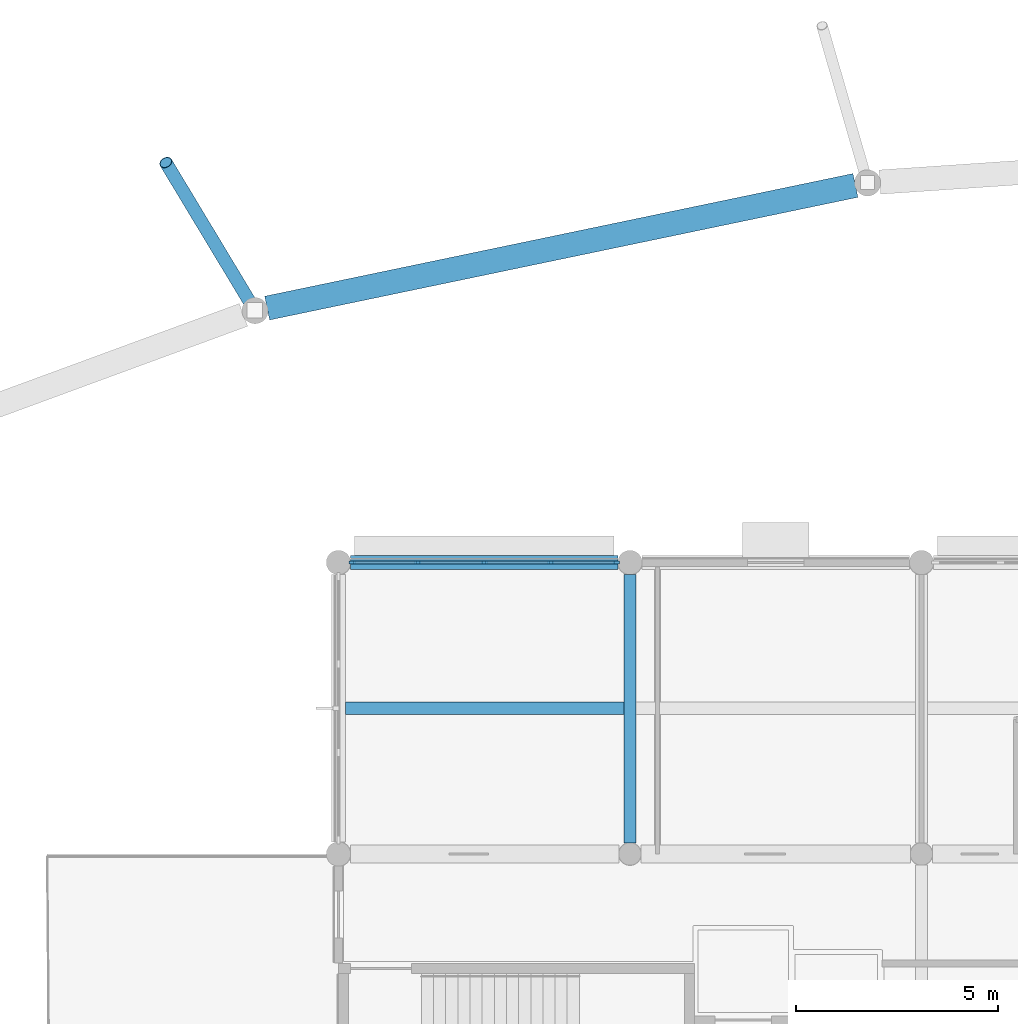
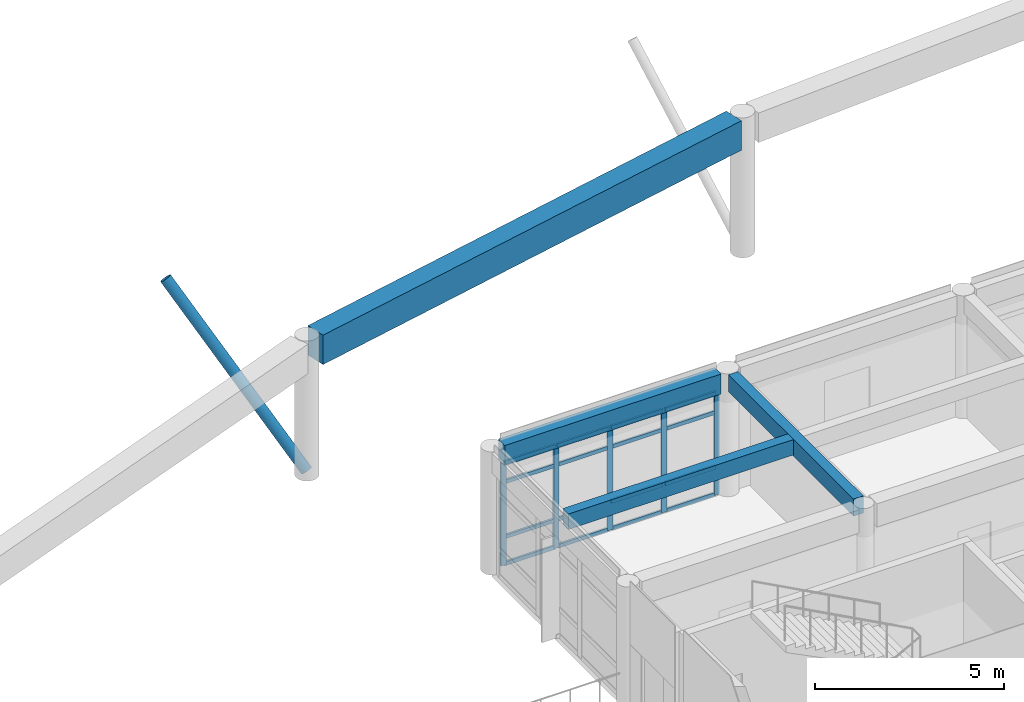
# One storey, part 6 of 37: 22 members, 4 beams, 1 element without a shape of its own.
"""IFC4 building model written with IfcOpenShell, lengths in metres."""

from ifc_helpers import new_model, si_unit, direction, frame, origin, origin_2d, place, context, subcontext, project, spatial, rectangle, hollow_circle, extrude, material, layer, layer_set, material_profile, profile_set, type_object, element, aggregate, save


model = new_model("IFC4")

# Units and contexts
model_context = context("Model", 3, precision=1e-05, world=origin(), true_north=direction((0.0, 1.0)))
body_context = subcontext(model_context, "Body", "Model", "MODEL_VIEW")
ifc_project = project(units=[si_unit("LENGTHUNIT", "METRE"), si_unit("AREAUNIT", "SQUARE_METRE"), si_unit("VOLUMEUNIT", "CUBIC_METRE"), si_unit("PLANEANGLEUNIT", "RADIAN"), si_unit("MASSUNIT", "GRAM", prefix="KILO")], contexts=[model_context])

# Site, building, storey
site_placement = place(None, origin())
site = spatial("IfcSite", under=ifc_project, at=site_placement, CompositionType="ELEMENT")
building_placement = place(site_placement, origin())
building = spatial("IfcBuilding", under=site, at=building_placement, Name="Namkhue Oval Health Centre", CompositionType="ELEMENT")
storey_placement = place(building_placement, frame((0.0, 0.0, 22.199951171875)))
storey = spatial("IfcBuildingStorey", under=building, at=storey_placement, Name="L05", CompositionType="ELEMENT", Elevation=22.199951171875)

# Member
ifc_material_1 = material(Name="Structural steel EN 10025-2 S355JR (TCVN 5575:2024)", Category="steel")
ifc_material_profile_1 = material_profile(ifc_material_1, hollow_circle(Radius=0.161865234375, WallThickness=0.012451171875, at=origin_2d()), Name="CHS 323.9x12.5")
ifc_profile_set_1 = profile_set([ifc_material_profile_1], Name="Structural steel EN 10025-2 S355JR (TCVN 5575:2024)")
member_type_1 = type_object("IfcMemberType", Name="CANOPY STRUT CHS 324", PredefinedType="STRUT", material=ifc_profile_set_1)
member_1_placement = place(storey_placement, frame((55.533447265625, 110.63134765625, 0.114990234375), z_axis=(-0.343848188166, 0.570711581646, 0.745692104068), x_axis=(-0.85655043467, -0.516063322535, 0.0)))
element("IfcMember", 1, at=member_1_placement, inside=storey, type_object=member_type_1, Name="Outer Overhang Tree-Branch Canopy Strut 11", PredefinedType="STRUT", context=body_context, shape_type="SweptSolid", body=[
    extrude(hollow_circle(Radius=0.161865234375, WallThickness=0.012451171875, at=origin_2d()), origin(), (0.0, 0.0, 1.0), 6.39013671875),
])

# Curtain wall, members
ifc_material_2 = material(Name="Anodised aluminium EN AW-6063 T6", Category="aluminium")
ifc_layer = layer(ifc_material_2, 0.159912109375)
ifc_layer_set = layer_set([ifc_layer], Name="Anodised aluminium EN AW-6063 T6")
curtain_wall_type = type_object("IfcCurtainWallType", Name="UNITISED CURTAIN WALL M1800", PredefinedType="NOTDEFINED", material=ifc_layer_set)
curtain_wall_placement = place(storey_placement, origin())
curtain_wall = element("IfcCurtainWall", 2, at=curtain_wall_placement, inside=storey, type_object=curtain_wall_type, Name="Volume V2 L05 Unitised Curtain Wall 89", PredefinedType="NOTDEFINED")
ifc_material_profile_2 = material_profile(ifc_material_2, rectangle(XDim=0.06494140625, YDim=0.159912109375, at=origin_2d()), Name="ALU 65x160")
ifc_profile_set_2 = profile_set([ifc_material_profile_2], Name="Anodised aluminium EN AW-6063 T6")
member_type_2 = type_object("IfcMemberType", Name="CURTAIN WALL MULLION 65X160", PredefinedType="MULLION", material=ifc_profile_set_2)
member_2_placement = place(storey_placement, frame((64.45751953125, 104.39990234375, 0.0), z_axis=(0.0, 0.0, 1.0), x_axis=(0.0, -1.0, 0.0)))
member_2 = element("IfcMember", 3, at=member_2_placement, type_object=member_type_2, Name="CW-05 mullion 1", PredefinedType="MULLION", context=body_context, shape_type="SweptSolid", body=[
    extrude(rectangle(XDim=0.06494140625, YDim=0.159912109375, at=origin_2d()), origin(), (0.0, 0.0, 1.0), 3.324951171875),
])
member_3_placement = place(storey_placement, frame((62.844970703125, 104.39990234375, 0.0), z_axis=(0.0, 0.0, 1.0), x_axis=(0.0, -1.0, 0.0)))
member_3 = element("IfcMember", 4, at=member_3_placement, type_object=member_type_2, Name="CW-05 mullion 2", PredefinedType="MULLION", context=body_context, shape_type="SweptSolid", body=[
    extrude(rectangle(XDim=0.06494140625, YDim=0.159912109375, at=origin_2d()), origin(), (0.0, 0.0, 1.0), 3.324951171875),
])
member_4_placement = place(storey_placement, frame((61.199951171875, 104.39990234375, 0.0), z_axis=(0.0, 0.0, 1.0), x_axis=(0.0, -1.0, 0.0)))
member_4 = element("IfcMember", 5, at=member_4_placement, type_object=member_type_2, Name="CW-05 mullion 3", PredefinedType="MULLION", context=body_context, shape_type="SweptSolid", body=[
    extrude(rectangle(XDim=0.06494140625, YDim=0.159912109375, at=origin_2d()), origin(), (0.0, 0.0, 1.0), 3.324951171875),
])
member_5_placement = place(storey_placement, frame((59.554931640625, 104.39990234375, 0.0), z_axis=(0.0, 0.0, 1.0), x_axis=(0.0, -1.0, 0.0)))
member_5 = element("IfcMember", 6, at=member_5_placement, type_object=member_type_2, Name="CW-05 mullion 4", PredefinedType="MULLION", context=body_context, shape_type="SweptSolid", body=[
    extrude(rectangle(XDim=0.06494140625, YDim=0.159912109375, at=origin_2d()), origin(), (0.0, 0.0, 1.0), 3.324951171875),
])
member_6_placement = place(storey_placement, frame((57.9423828125, 104.39990234375, 0.0), z_axis=(0.0, 0.0, 1.0), x_axis=(0.0, -1.0, 0.0)))
member_6 = element("IfcMember", 7, at=member_6_placement, type_object=member_type_2, Name="CW-05 mullion 5", PredefinedType="MULLION", context=body_context, shape_type="SweptSolid", body=[
    extrude(rectangle(XDim=0.06494140625, YDim=0.159912109375, at=origin_2d()), origin(), (0.0, 0.0, 1.0), 3.324951171875),
])
ifc_material_profile_3 = material_profile(ifc_material_2, rectangle(XDim=0.06494140625, YDim=0.1201171875, at=origin_2d()), Name="ALU 65x120")
ifc_profile_set_3 = profile_set([ifc_material_profile_3], Name="Anodised aluminium EN AW-6063 T6")
member_type_3 = type_object("IfcMemberType", Name="CURTAIN WALL TRANSOM 65X120", PredefinedType="USERDEFINED", material=ifc_profile_set_3)
member_7_placement = place(storey_placement, frame((64.425048828125, 104.39990234375, 0.032470703125), z_axis=(-1.0, 0.0, 0.0), x_axis=(0.0, -1.0, 0.0)))
member_7 = element("IfcMember", 8, at=member_7_placement, type_object=member_type_3, Name="CW-05 transom 1.1", ObjectType="TRANSOM", PredefinedType="USERDEFINED", context=body_context, shape_type="SweptSolid", body=[
    extrude(rectangle(XDim=0.06494140625, YDim=0.1201171875, at=origin_2d()), origin(), (0.0, 0.0, 1.0), 1.547607421875),
])
member_8_placement = place(storey_placement, frame((64.425048828125, 104.39990234375, 0.900146484375), z_axis=(-1.0, 0.0, 0.0), x_axis=(0.0, -1.0, 0.0)))
member_8 = element("IfcMember", 9, at=member_8_placement, type_object=member_type_3, Name="CW-05 transom 1.2", ObjectType="TRANSOM", PredefinedType="USERDEFINED", context=body_context, shape_type="SweptSolid", body=[
    extrude(rectangle(XDim=0.06494140625, YDim=0.1201171875, at=origin_2d()), origin(), (0.0, 0.0, 1.0), 1.547607421875),
])
member_9_placement = place(storey_placement, frame((64.425048828125, 104.39990234375, 2.675048828125), z_axis=(-1.0, 0.0, 0.0), x_axis=(0.0, -1.0, 0.0)))
member_9 = element("IfcMember", 10, at=member_9_placement, type_object=member_type_3, Name="CW-05 transom 1.3", ObjectType="TRANSOM", PredefinedType="USERDEFINED", context=body_context, shape_type="SweptSolid", body=[
    extrude(rectangle(XDim=0.06494140625, YDim=0.1201171875, at=origin_2d()), origin(), (0.0, 0.0, 1.0), 1.547607421875),
])
member_10_placement = place(storey_placement, frame((64.425048828125, 104.39990234375, 3.29248046875), z_axis=(-1.0, 0.0, 0.0), x_axis=(0.0, -1.0, 0.0)))
member_10 = element("IfcMember", 11, at=member_10_placement, type_object=member_type_3, Name="CW-05 transom 1.4", ObjectType="TRANSOM", PredefinedType="USERDEFINED", context=body_context, shape_type="SweptSolid", body=[
    extrude(rectangle(XDim=0.06494140625, YDim=0.1201171875, at=origin_2d()), origin(), (0.0, 0.0, 1.0), 1.547607421875),
])
member_11_placement = place(storey_placement, frame((62.8125, 104.39990234375, 0.032470703125), z_axis=(-1.0, 0.0, 0.0), x_axis=(0.0, -1.0, 0.0)))
member_11 = element("IfcMember", 12, at=member_11_placement, type_object=member_type_3, Name="CW-05 transom 2.1", ObjectType="TRANSOM", PredefinedType="USERDEFINED", context=body_context, shape_type="SweptSolid", body=[
    extrude(rectangle(XDim=0.06494140625, YDim=0.1201171875, at=origin_2d()), origin(), (0.0, 0.0, 1.0), 1.580078125),
])
member_12_placement = place(storey_placement, frame((62.8125, 104.39990234375, 0.900146484375), z_axis=(-1.0, 0.0, 0.0), x_axis=(0.0, -1.0, 0.0)))
member_12 = element("IfcMember", 13, at=member_12_placement, type_object=member_type_3, Name="CW-05 transom 2.2", ObjectType="TRANSOM", PredefinedType="USERDEFINED", context=body_context, shape_type="SweptSolid", body=[
    extrude(rectangle(XDim=0.06494140625, YDim=0.1201171875, at=origin_2d()), origin(), (0.0, 0.0, 1.0), 1.580078125),
])
member_13_placement = place(storey_placement, frame((62.8125, 104.39990234375, 2.675048828125), z_axis=(-1.0, 0.0, 0.0), x_axis=(0.0, -1.0, 0.0)))
member_13 = element("IfcMember", 14, at=member_13_placement, type_object=member_type_3, Name="CW-05 transom 2.3", ObjectType="TRANSOM", PredefinedType="USERDEFINED", context=body_context, shape_type="SweptSolid", body=[
    extrude(rectangle(XDim=0.06494140625, YDim=0.1201171875, at=origin_2d()), origin(), (0.0, 0.0, 1.0), 1.580078125),
])
member_14_placement = place(storey_placement, frame((62.8125, 104.39990234375, 3.29248046875), z_axis=(-1.0, 0.0, 0.0), x_axis=(0.0, -1.0, 0.0)))
member_14 = element("IfcMember", 15, at=member_14_placement, type_object=member_type_3, Name="CW-05 transom 2.4", ObjectType="TRANSOM", PredefinedType="USERDEFINED", context=body_context, shape_type="SweptSolid", body=[
    extrude(rectangle(XDim=0.06494140625, YDim=0.1201171875, at=origin_2d()), origin(), (0.0, 0.0, 1.0), 1.580078125),
])
member_15_placement = place(storey_placement, frame((61.16748046875, 104.39990234375, 0.032470703125), z_axis=(-1.0, 0.0, 0.0), x_axis=(0.0, -1.0, 0.0)))
member_15 = element("IfcMember", 16, at=member_15_placement, type_object=member_type_3, Name="CW-05 transom 3.1", ObjectType="TRANSOM", PredefinedType="USERDEFINED", context=body_context, shape_type="SweptSolid", body=[
    extrude(rectangle(XDim=0.06494140625, YDim=0.1201171875, at=origin_2d()), origin(), (0.0, 0.0, 1.0), 1.580078125),
])
member_16_placement = place(storey_placement, frame((61.16748046875, 104.39990234375, 0.900146484375), z_axis=(-1.0, 0.0, 0.0), x_axis=(0.0, -1.0, 0.0)))
member_16 = element("IfcMember", 17, at=member_16_placement, type_object=member_type_3, Name="CW-05 transom 3.2", ObjectType="TRANSOM", PredefinedType="USERDEFINED", context=body_context, shape_type="SweptSolid", body=[
    extrude(rectangle(XDim=0.06494140625, YDim=0.1201171875, at=origin_2d()), origin(), (0.0, 0.0, 1.0), 1.580078125),
])
member_17_placement = place(storey_placement, frame((61.16748046875, 104.39990234375, 2.675048828125), z_axis=(-1.0, 0.0, 0.0), x_axis=(0.0, -1.0, 0.0)))
member_17 = element("IfcMember", 18, at=member_17_placement, type_object=member_type_3, Name="CW-05 transom 3.3", ObjectType="TRANSOM", PredefinedType="USERDEFINED", context=body_context, shape_type="SweptSolid", body=[
    extrude(rectangle(XDim=0.06494140625, YDim=0.1201171875, at=origin_2d()), origin(), (0.0, 0.0, 1.0), 1.580078125),
])
member_18_placement = place(storey_placement, frame((61.16748046875, 104.39990234375, 3.29248046875), z_axis=(-1.0, 0.0, 0.0), x_axis=(0.0, -1.0, 0.0)))
member_18 = element("IfcMember", 19, at=member_18_placement, type_object=member_type_3, Name="CW-05 transom 3.4", ObjectType="TRANSOM", PredefinedType="USERDEFINED", context=body_context, shape_type="SweptSolid", body=[
    extrude(rectangle(XDim=0.06494140625, YDim=0.1201171875, at=origin_2d()), origin(), (0.0, 0.0, 1.0), 1.580078125),
])
member_19_placement = place(storey_placement, frame((59.5224609375, 104.39990234375, 0.032470703125), z_axis=(-1.0, 0.0, 0.0), x_axis=(0.0, -1.0, 0.0)))
member_19 = element("IfcMember", 20, at=member_19_placement, type_object=member_type_3, Name="CW-05 transom 4.1", ObjectType="TRANSOM", PredefinedType="USERDEFINED", context=body_context, shape_type="SweptSolid", body=[
    extrude(rectangle(XDim=0.06494140625, YDim=0.1201171875, at=origin_2d()), origin(), (0.0, 0.0, 1.0), 1.54736328125),
])
member_20_placement = place(storey_placement, frame((59.5224609375, 104.39990234375, 0.900146484375), z_axis=(-1.0, 0.0, 0.0), x_axis=(0.0, -1.0, 0.0)))
member_20 = element("IfcMember", 21, at=member_20_placement, type_object=member_type_3, Name="CW-05 transom 4.2", ObjectType="TRANSOM", PredefinedType="USERDEFINED", context=body_context, shape_type="SweptSolid", body=[
    extrude(rectangle(XDim=0.06494140625, YDim=0.1201171875, at=origin_2d()), origin(), (0.0, 0.0, 1.0), 1.54736328125),
])
member_21_placement = place(storey_placement, frame((59.5224609375, 104.39990234375, 2.675048828125), z_axis=(-1.0, 0.0, 0.0), x_axis=(0.0, -1.0, 0.0)))
member_21 = element("IfcMember", 22, at=member_21_placement, type_object=member_type_3, Name="CW-05 transom 4.3", ObjectType="TRANSOM", PredefinedType="USERDEFINED", context=body_context, shape_type="SweptSolid", body=[
    extrude(rectangle(XDim=0.06494140625, YDim=0.1201171875, at=origin_2d()), origin(), (0.0, 0.0, 1.0), 1.54736328125),
])
member_22_placement = place(storey_placement, frame((59.5224609375, 104.39990234375, 3.29248046875), z_axis=(-1.0, 0.0, 0.0), x_axis=(0.0, -1.0, 0.0)))
member_22 = element("IfcMember", 23, at=member_22_placement, type_object=member_type_3, Name="CW-05 transom 4.4", ObjectType="TRANSOM", PredefinedType="USERDEFINED", context=body_context, shape_type="SweptSolid", body=[
    extrude(rectangle(XDim=0.06494140625, YDim=0.1201171875, at=origin_2d()), origin(), (0.0, 0.0, 1.0), 1.54736328125),
])
aggregate(curtain_wall, [member_2, member_3, member_4, member_5, member_6, member_7, member_8, member_9, member_10, member_11, member_12, member_13, member_14, member_15, member_16, member_17, member_18, member_19, member_20, member_21, member_22])

# Beams
ifc_material_3 = material(Name="Reinforced concrete C30/37 (TCVN B35)", Category="concrete")
ifc_material_profile_4 = material_profile(ifc_material_3, rectangle(XDim=0.300048828125, YDim=0.550048828125, at=origin_2d()), Name="RC 300x550")
ifc_profile_set_4 = profile_set([ifc_material_profile_4], Name="Reinforced concrete C30/37 (TCVN B35)")
beam_type_1 = type_object("IfcBeamType", Name="FLOOR BEAM RC 300X550", PredefinedType="BEAM", material=ifc_profile_set_4)
beam_1_placement = place(storey_placement, frame((64.800048828125, 97.47509765625, 3.699951171875), z_axis=(0.0, 1.0, 0.0), x_axis=(-1.0, 0.0, 0.0)))
element("IfcBeam", 24, at=beam_1_placement, inside=storey, type_object=beam_type_1, Name="Volume V2 RF Beam 10/O-P", PredefinedType="BEAM", context=body_context, shape_type="SweptSolid", body=[
    extrude(rectangle(XDim=0.300048828125, YDim=0.550048828125, at=origin_2d()), origin(), (0.0, 0.0, 1.0), 6.625),
])
ifc_material_4 = material(Name="Reinforced concrete C35/45 (TCVN B40)", Category="concrete")
ifc_material_profile_5 = material_profile(ifc_material_4, rectangle(XDim=0.35009765625, YDim=0.64990234375, at=origin_2d()), Name="RC 350x650")
ifc_profile_set_5 = profile_set([ifc_material_profile_5], Name="Reinforced concrete C35/45 (TCVN B40)")
beam_type_2 = type_object("IfcBeamType", Name="PERIMETER SPANDREL BEAM 350X650", PredefinedType="SPANDREL", material=ifc_profile_set_5)
beam_2_placement = place(storey_placement, frame((57.89990234375, 104.39990234375, 3.650146484375), z_axis=(1.0, 0.0, 0.0), x_axis=(0.0, 1.0, 0.0)))
element("IfcBeam", 25, at=beam_2_placement, inside=storey, type_object=beam_type_2, Name="Volume V2 RF Girder P/9-10", PredefinedType="SPANDREL", context=body_context, shape_type="SweptSolid", body=[
    extrude(rectangle(XDim=0.35009765625, YDim=0.64990234375, at=origin_2d()), origin(), (0.0, 0.0, 1.0), 6.60009765625),
])
ifc_material_profile_6 = material_profile(ifc_material_4, rectangle(XDim=0.60009765625, YDim=0.949951171875, at=origin_2d()), Name="RC 600x950")
ifc_profile_set_6 = profile_set([ifc_material_profile_6], Name="Reinforced concrete C35/45 (TCVN B40)")
beam_type_3 = type_object("IfcBeamType", Name="RING GIRDER RC 600X950", PredefinedType="USERDEFINED", material=ifc_profile_set_6)
beam_3_placement = place(storey_placement, frame((70.369384765625, 113.71240234375, 4.025146484375), z_axis=(-0.978938251723, -0.204156555891, 0.0), x_axis=(0.204156555891, -0.978938251723, 0.0)))
element("IfcBeam", 26, at=beam_3_placement, inside=storey, type_object=beam_type_3, Name="Gridshell OR Concrete Ring Girder 10", ObjectType="GIRDER", PredefinedType="USERDEFINED", context=body_context, shape_type="SweptSolid", body=[
    extrude(rectangle(XDim=0.60009765625, YDim=0.949951171875, at=origin_2d()), origin(), (0.0, 0.0, 1.0), 14.8427734375),
])
ifc_material_profile_7 = material_profile(ifc_material_3, rectangle(XDim=0.300048828125, YDim=0.5, at=origin_2d()), Name="RC 300x500")
ifc_profile_set_7 = profile_set([ifc_material_profile_7], Name="Reinforced concrete C30/37 (TCVN B35)")
beam_type_4 = type_object("IfcBeamType", Name="SECONDARY JOIST RC 300X500", PredefinedType="JOIST", material=ifc_profile_set_7)
beam_4_placement = place(storey_placement, frame((57.77490234375, 100.800048828125, 3.72509765625), z_axis=(1.0, 0.0, 0.0), x_axis=(0.0, 1.0, 0.0)))
element("IfcBeam", 27, at=beam_4_placement, inside=storey, type_object=beam_type_4, Name="Volume V2 RF Secondary Joist 9-10", PredefinedType="JOIST", context=body_context, shape_type="SweptSolid", body=[
    extrude(rectangle(XDim=0.300048828125, YDim=0.5, at=origin_2d()), origin(), (0.0, 0.0, 1.0), 6.875),
])

save(model, "model.ifc")
